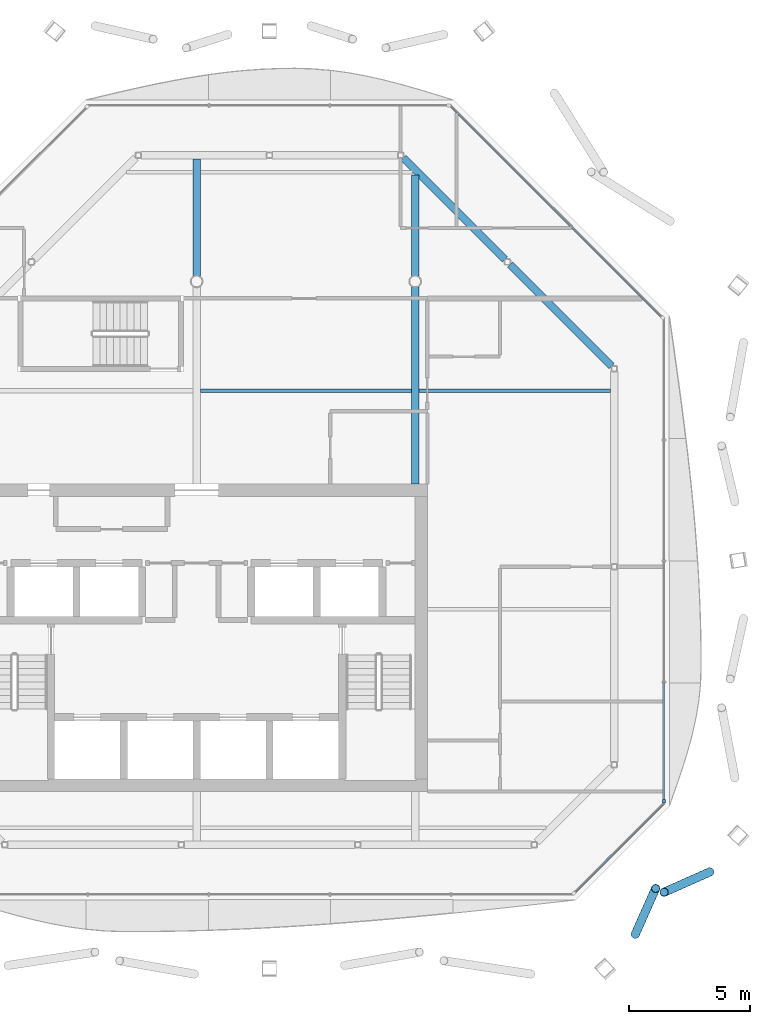
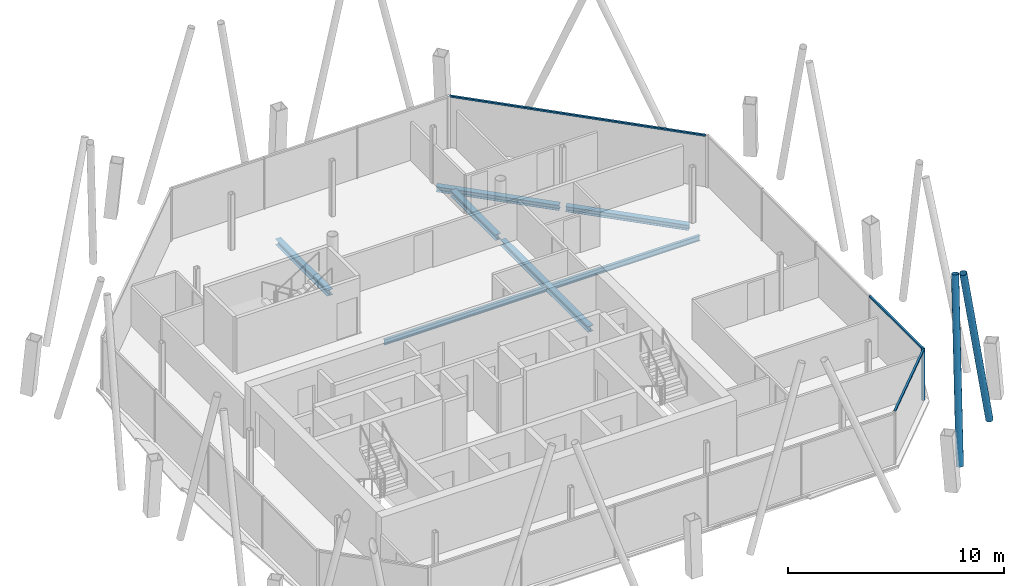
# One storey, part 6 of 14: 7 beams, 6 members, 3 elements without a shape of their own.
"""IFC4 building model written with IfcOpenShell, lengths in metres."""

from ifc_helpers import new_model, si_unit, direction, frame, origin, origin_2d, place, context, subcontext, project, spatial, rectangle, hollow_circle, i_section, extrude, material, material_profile, profile_set, type_object, element, aggregate, save


model = new_model("IFC4")

# Units and contexts
model_context = context("Model", 3, precision=1e-05, world=origin(), true_north=direction((0.0, 1.0)))
body_context = subcontext(model_context, "Body", "Model", "MODEL_VIEW")
ifc_project = project(units=[si_unit("LENGTHUNIT", "METRE"), si_unit("AREAUNIT", "SQUARE_METRE"), si_unit("VOLUMEUNIT", "CUBIC_METRE"), si_unit("PLANEANGLEUNIT", "RADIAN"), si_unit("MASSUNIT", "GRAM", prefix="KILO")], contexts=[model_context])

# Site, building, storey
site_placement = place(None, origin())
site = spatial("IfcSite", under=ifc_project, at=site_placement, CompositionType="ELEMENT")
building_placement = place(site_placement, origin())
building = spatial("IfcBuilding", under=site, at=building_placement, Name="Tskaro Facet Tower", CompositionType="ELEMENT")
storey_placement = place(building_placement, frame((0.0, 0.0, 268.949951171875)))
storey = spatial("IfcBuildingStorey", under=building, at=storey_placement, Name="L71", CompositionType="ELEMENT", Elevation=268.949951171875)

# Members
ifc_material_1 = material(Name="Steel S355J2H", Category="steel")
ifc_material_profile_1 = material_profile(ifc_material_1, hollow_circle(Radius=0.177734375, WallThickness=0.01611328125, at=origin_2d()), Name="CHS 355.6x16")
ifc_profile_set_1 = profile_set([ifc_material_profile_1], Name="Steel S355J2H")
member_type_1 = type_object("IfcMemberType", Name="CHS 355.6x16 brace", PredefinedType="BRACE", material=ifc_profile_set_1)
for number, where, z_axis, x_axis, name in (
    (1, (18.06591796875, -17.882568359375, 0.0), (0.086526450205, 0.194861200578, 0.977006799323), (-0.913948191212, 0.405830880761, 0.0), "CHS 355.6x16 XB03A/6"),
    (2, (21.134033203125, -15.3173828125, 0.0), (-0.194861200578, -0.086526450205, 0.977006799323), (0.405830880761, -0.913948191212, 0.0), "CHS 355.6x16 XB03B/6"),
):
    element("IfcMember", number, at=place(storey_placement, frame(where, z_axis=z_axis, x_axis=x_axis)), inside=storey, type_object=member_type_1, Name=name, PredefinedType="BRACE", context=body_context, shape_type="SweptSolid", body=[
        extrude(hollow_circle(Radius=0.177734375, WallThickness=0.01611328125, at=origin_2d()), origin(), (0.0, 0.0, 1.0), 9.67236328125),
    ])

# Curtain wall, member
ifc_material_2 = material(Name="Bronze anodised aluminium 6063-T6", Category="aluminium")
curtain_wall_type = type_object("IfcCurtainWallType", Name="Bronze residence curtain wall (FW3)", PredefinedType="NOTDEFINED", material=ifc_material_2)
curtain_wall_1_placement = place(storey_placement, origin())
curtain_wall_1 = element("IfcCurtainWall", 3, at=curtain_wall_1_placement, inside=storey, type_object=curtain_wall_type, Name="FW3 east facet L71", PredefinedType="NOTDEFINED")
ifc_material_profile_2 = material_profile(ifc_material_2, rectangle(XDim=0.139892578125, YDim=0.139892578125, at=origin_2d()), Name="Corner post 140x140")
ifc_profile_set_2 = profile_set([ifc_material_profile_2], Name="Bronze anodised aluminium 6063-T6")
member_type_2 = type_object("IfcMemberType", Name="FW3 bronze corner post 140x140", PredefinedType="MULLION", material=ifc_profile_set_2)
member_1_placement = place(storey_placement, frame((19.24609375, -12.408935546875, 0.0), z_axis=(0.0, 0.0, 1.0), x_axis=(0.0, 1.0, 0.0)))
member_1 = element("IfcMember", 4, at=member_1_placement, type_object=member_type_2, Name="FW3 east corner post", PredefinedType="MULLION", context=body_context, shape_type="SweptSolid", body=[
    extrude(rectangle(XDim=0.139892578125, YDim=0.139892578125, at=origin_2d()), origin(), (0.0, 0.0, 1.0), 2.949951171875),
])

curtain_wall_2_placement = place(storey_placement, origin())
curtain_wall_2 = element("IfcCurtainWall", 5, at=curtain_wall_2_placement, inside=storey, type_object=curtain_wall_type, Name="FW3 south-east facet L71", PredefinedType="NOTDEFINED")
ifc_material_profile_3 = material_profile(ifc_material_2, rectangle(XDim=0.10009765625, YDim=0.090087890625, at=origin_2d()), Name="Transom 100x90")
ifc_profile_set_3 = profile_set([ifc_material_profile_3], Name="Bronze anodised aluminium 6063-T6")
member_type_3 = type_object("IfcMemberType", Name="FW3 bronze transom 100x90", PredefinedType="USERDEFINED", material=ifc_profile_set_3)
member_2_placement = place(storey_placement, frame((15.577880859375, -16.14697265625, 2.905029296875), z_axis=(0.707130312586, 0.707083249004, 0.0), x_axis=(-0.707083249004, 0.707130312586, 0.0)))
member_2 = element("IfcMember", 6, at=member_2_placement, type_object=member_type_3, Name="FW3 south-east transom 1.1", ObjectType="TRANSOM", PredefinedType="USERDEFINED", context=body_context, shape_type="SweptSolid", body=[
    extrude(rectangle(XDim=0.10009765625, YDim=0.090087890625, at=origin_2d()), origin(), (0.0, 0.0, 1.0), 5.1875),
])
aggregate(curtain_wall_2, [member_2])

# Member
member_3_placement = place(storey_placement, frame((19.24609375, -12.339111328125, 2.905029296875), z_axis=(0.0, 1.0, 0.0), x_axis=(-1.0, 0.0, 0.0)))
member_3 = element("IfcMember", 7, at=member_3_placement, type_object=member_type_3, Name="FW3 east transom 1.1", ObjectType="TRANSOM", PredefinedType="USERDEFINED", context=body_context, shape_type="SweptSolid", body=[
    extrude(rectangle(XDim=0.10009765625, YDim=0.090087890625, at=origin_2d()), origin(), (0.0, 0.0, 1.0), 4.819091796875),
])

aggregate(curtain_wall_1, [member_1, member_3])

# Curtain wall, member
curtain_wall_3_placement = place(storey_placement, origin())
curtain_wall_3 = element("IfcCurtainWall", 8, at=curtain_wall_3_placement, inside=storey, type_object=curtain_wall_type, Name="FW3 north-east facet L71", PredefinedType="NOTDEFINED")
member_4_placement = place(storey_placement, frame((19.14697265625, 7.555908203125, 2.905029296875), z_axis=(-0.707096848307, 0.707116713926, 0.0), x_axis=(-0.707116713926, -0.707096848307, 0.0)))
member_4 = element("IfcMember", 9, at=member_4_placement, type_object=member_type_3, Name="FW3 north-east transom 1.1", ObjectType="TRANSOM", PredefinedType="USERDEFINED", context=body_context, shape_type="SweptSolid", body=[
    extrude(rectangle(XDim=0.10009765625, YDim=0.090087890625, at=origin_2d()), origin(), (0.0, 0.0, 1.0), 12.28955078125),
])
aggregate(curtain_wall_3, [member_4])

# Beams
ifc_material_3 = material(Name="Steel S355J2", Category="steel")
ifc_material_profile_4 = material_profile(ifc_material_3, i_section(OverallWidth=0.300048828125, OverallDepth=0.300048828125, WebThickness=0.010986328125, FlangeThickness=0.01904296875, FilletRadius=0.027099609375, at=origin_2d()), Name="HE 300 B")
ifc_profile_set_4 = profile_set([ifc_material_profile_4], Name="Steel S355J2")
beam_type_1 = type_object("IfcBeamType", Name="HE 300 B ring beam", PredefinedType="BEAM", material=ifc_profile_set_4)
for number, where, z_axis, x_axis, name in (
    (10, (17.089111328125, 5.513916015625, -0.2900390625), (-0.707024112481, 0.707189440228, 0.0), (-0.707189440228, -0.707024112481, 0.0), "HE 300 B EB7-6"),
    (11, (12.691162109375, 9.912841796875, -0.2900390625), (-0.707189440228, 0.707024112481, 0.0), (-0.707024112481, -0.707189440228, 0.0), "HE 300 B EB8-6"),
):
    element("IfcBeam", number, at=place(storey_placement, frame(where, z_axis=z_axis, x_axis=x_axis)), inside=storey, type_object=beam_type_1, Name=name, PredefinedType="BEAM", context=body_context, shape_type="SweptSolid", body=[
        extrude(i_section(OverallWidth=0.300048828125, OverallDepth=0.300048828125, WebThickness=0.010986328125, FlangeThickness=0.01904296875, FilletRadius=0.027099609375, at=origin_2d()), origin(), (0.0, 0.0, 1.0), 5.90673828125),
    ])
ifc_material_profile_5 = material_profile(ifc_material_3, i_section(OverallWidth=0.300048828125, OverallDepth=0.330078125, WebThickness=0.009521484375, FlangeThickness=0.0166015625, FilletRadius=0.027099609375, at=origin_2d()), Name="HE 340 A")
ifc_profile_set_5 = profile_set([ifc_material_profile_5], Name="Steel S355J2")
beam_type_2 = type_object("IfcBeamType", Name="HE 340 A girder", PredefinedType="BEAM", material=ifc_profile_set_5)
beam_1_placement = place(storey_placement, frame((0.0, 9.22412109375, -0.304931640625), z_axis=(0.0, 1.0, 0.0), x_axis=(-1.0, 0.0, 0.0)))
element("IfcBeam", 12, at=beam_1_placement, inside=storey, type_object=beam_type_2, Name="HE 340 A GB4-3-6", PredefinedType="BEAM", context=body_context, shape_type="SweptSolid", body=[
    extrude(i_section(OverallWidth=0.300048828125, OverallDepth=0.330078125, WebThickness=0.009521484375, FlangeThickness=0.0166015625, FilletRadius=0.027099609375, at=origin_2d()), origin(), (0.0, 0.0, 1.0), 4.825927734375),
])
beam_2_placement = place(storey_placement, frame((9.0, 0.64990234375, -0.304931640625), z_axis=(0.0, 1.0, 0.0), x_axis=(-1.0, 0.0, 0.0)))
element("IfcBeam", 13, at=beam_2_placement, inside=storey, type_object=beam_type_2, Name="HE 340 A GB5-2-6", PredefinedType="BEAM", context=body_context, shape_type="SweptSolid", body=[
    extrude(i_section(OverallWidth=0.300048828125, OverallDepth=0.330078125, WebThickness=0.009521484375, FlangeThickness=0.0166015625, FilletRadius=0.027099609375, at=origin_2d()), origin(), (0.0, 0.0, 1.0), 8.1259765625),
])
beam_3_placement = place(storey_placement, frame((9.0, 9.22412109375, -0.304931640625), z_axis=(0.0, 1.0, 0.0), x_axis=(-1.0, 0.0, 0.0)))
element("IfcBeam", 14, at=beam_3_placement, inside=storey, type_object=beam_type_2, Name="HE 340 A GB5-3-6", PredefinedType="BEAM", context=body_context, shape_type="SweptSolid", body=[
    extrude(i_section(OverallWidth=0.300048828125, OverallDepth=0.330078125, WebThickness=0.009521484375, FlangeThickness=0.0166015625, FilletRadius=0.027099609375, at=origin_2d()), origin(), (0.0, 0.0, 1.0), 4.1669921875),
])
ifc_material_profile_6 = material_profile(ifc_material_3, i_section(OverallWidth=0.14990234375, OverallDepth=0.300048828125, WebThickness=0.007080078125, FlangeThickness=0.0107421875, FilletRadius=0.014892578125, at=origin_2d()), Name="IPE 300")
ifc_profile_set_6 = profile_set([ifc_material_profile_6], Name="Steel S355J2")
beam_type_3 = type_object("IfcBeamType", Name="IPE 300 secondary beam", PredefinedType="BEAM", material=ifc_profile_set_6)
beam_4_placement = place(storey_placement, frame((0.14990234375, 4.5, -0.2900390625), z_axis=(1.0, 0.0, 0.0), x_axis=(0.0, 1.0, 0.0)))
element("IfcBeam", 15, at=beam_4_placement, inside=storey, type_object=beam_type_3, Name="IPE 300 SB4a-2-6", PredefinedType="BEAM", context=body_context, shape_type="SweptSolid", body=[
    extrude(i_section(OverallWidth=0.14990234375, OverallDepth=0.300048828125, WebThickness=0.007080078125, FlangeThickness=0.0107421875, FilletRadius=0.014892578125, at=origin_2d()), origin(), (0.0, 0.0, 1.0), 8.7001953125),
])
beam_5_placement = place(storey_placement, frame((9.14990234375, 4.5, -0.2900390625), z_axis=(1.0, 0.0, 0.0), x_axis=(0.0, 1.0, 0.0)))
element("IfcBeam", 16, at=beam_5_placement, inside=storey, type_object=beam_type_3, Name="IPE 300 SB4a-3-6", PredefinedType="BEAM", context=body_context, shape_type="SweptSolid", body=[
    extrude(i_section(OverallWidth=0.14990234375, OverallDepth=0.300048828125, WebThickness=0.007080078125, FlangeThickness=0.0107421875, FilletRadius=0.014892578125, at=origin_2d()), origin(), (0.0, 0.0, 1.0), 7.900146484375),
])

save(model, "model.ifc")
